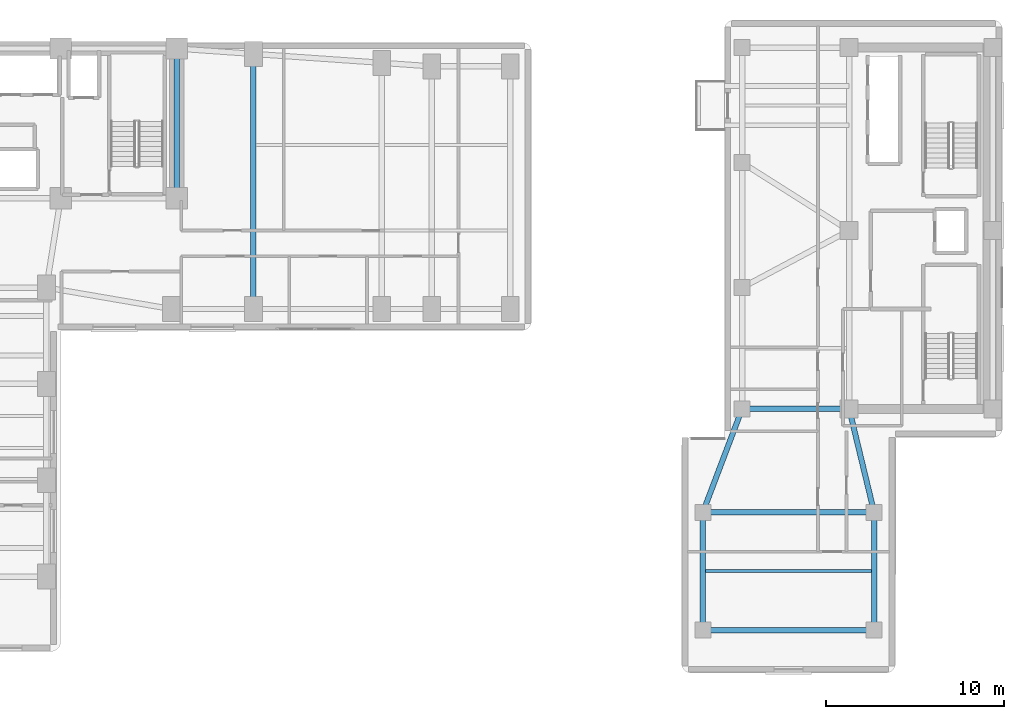
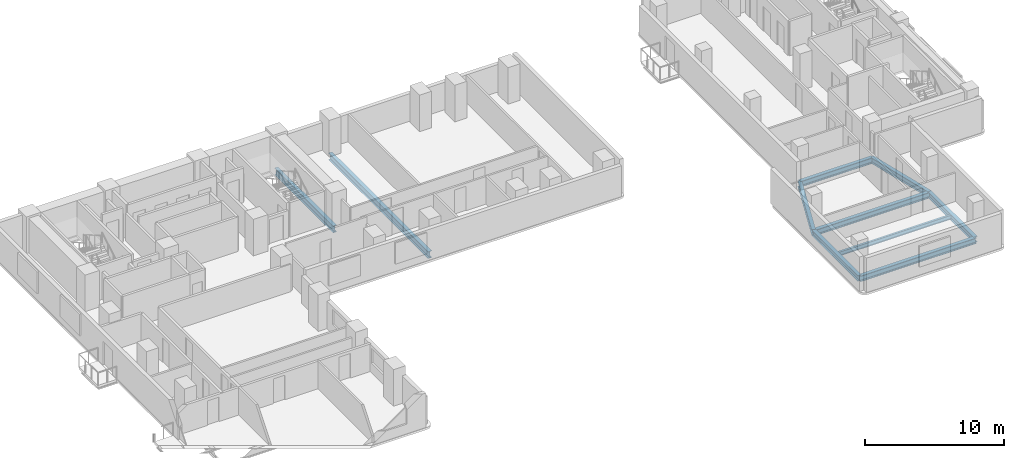
# One storey, part 5 of 15: 10 beams.
"""IFC4 building model written with IfcOpenShell, lengths in metres."""

from ifc_helpers import new_model, si_unit, direction, frame, origin, origin_2d, place, context, subcontext, project, spatial, i_section, extrude, material, material_profile, profile_set, type_object, element, save


model = new_model("IFC4")

# Units and contexts
model_context = context("Model", 3, precision=1e-05, world=origin(), true_north=direction((0.0, 1.0)))
body_context = subcontext(model_context, "Body", "Model", "MODEL_VIEW")
ifc_project = project(units=[si_unit("LENGTHUNIT", "METRE"), si_unit("AREAUNIT", "SQUARE_METRE"), si_unit("VOLUMEUNIT", "CUBIC_METRE"), si_unit("PLANEANGLEUNIT", "RADIAN"), si_unit("MASSUNIT", "GRAM", prefix="KILO")], contexts=[model_context])

# Site, building, storey
site_placement = place(None, origin())
site = spatial("IfcSite", under=ifc_project, at=site_placement, CompositionType="ELEMENT")
building_placement = place(site_placement, origin())
building = spatial("IfcBuilding", under=site, at=building_placement, Name="Kuzgunbayir Cultural Tower", CompositionType="ELEMENT")
storey_placement = place(building_placement, frame((0.0, 0.0, 59.60009765625)))
storey = spatial("IfcBuildingStorey", under=building, at=storey_placement, Name="L16", CompositionType="ELEMENT", Elevation=59.60009765625)

# Beams
ifc_material = material(Name="Steel S355J2", Category="steel")
ifc_material_profile_1 = material_profile(ifc_material, i_section(OverallWidth=0.300048828125, OverallDepth=0.5, WebThickness=0.014404296875, FlangeThickness=0.028076171875, FilletRadius=0.027099609375, at=origin_2d()), Name="HEB 500")
ifc_profile_set_1 = profile_set([ifc_material_profile_1], Name="Steel S355J2")
beam_type_1 = type_object("IfcBeamType", Name="BM-EXT-HEB500", PredefinedType="BEAM", material=ifc_profile_set_1)
beam_1_placement = place(storey_placement, frame((56.39990234375, 9.60009765625, -0.43017578125), z_axis=(0.0, 1.0, 0.0), x_axis=(-1.0, 0.0, 0.0)))
element("IfcBeam", 1, at=beam_1_placement, inside=storey, type_object=beam_type_1, Name="L16 Companion Wing B West Girder", PredefinedType="BEAM", context=body_context, shape_type="SweptSolid", body=[
    extrude(i_section(OverallWidth=0.300048828125, OverallDepth=0.5, WebThickness=0.014404296875, FlangeThickness=0.028076171875, FilletRadius=0.027099609375, at=origin_2d()), origin(), (0.0, 0.0, 1.0), 6.599853515625),
])
beam_2_placement = place(storey_placement, frame((56.39990234375, 16.199951171875, -0.43017578125), z_axis=(0.354679148754, 0.93498807556, 0.0), x_axis=(-0.93498807556, 0.354679148754, 0.0)))
element("IfcBeam", 2, at=beam_2_placement, inside=storey, type_object=beam_type_1, Name="L16 Companion Wing B Floor Girder W", PredefinedType="BEAM", context=body_context, shape_type="SweptSolid", body=[
    extrude(i_section(OverallWidth=0.300048828125, OverallDepth=0.5, WebThickness=0.014404296875, FlangeThickness=0.028076171875, FilletRadius=0.027099609375, at=origin_2d()), origin(), (0.0, 0.0, 1.0), 6.203369140625),
])
beam_3_placement = place(storey_placement, frame((66.0, 9.60009765625, -0.43017578125), z_axis=(0.0, 1.0, 0.0), x_axis=(-1.0, 0.0, 0.0)))
element("IfcBeam", 3, at=beam_3_placement, inside=storey, type_object=beam_type_1, Name="L16 Companion Wing B East Girder", PredefinedType="BEAM", context=body_context, shape_type="SweptSolid", body=[
    extrude(i_section(OverallWidth=0.300048828125, OverallDepth=0.5, WebThickness=0.014404296875, FlangeThickness=0.028076171875, FilletRadius=0.027099609375, at=origin_2d()), origin(), (0.0, 0.0, 1.0), 6.599853515625),
])
beam_4_placement = place(storey_placement, frame((66.0, 16.199951171875, -0.43017578125), z_axis=(-0.234623200431, 0.972086392158, 0.0), x_axis=(-0.972086392158, -0.234623200431, 0.0)))
element("IfcBeam", 4, at=beam_4_placement, inside=storey, type_object=beam_type_1, Name="L16 Companion Wing B Floor Girder E", PredefinedType="BEAM", context=body_context, shape_type="SweptSolid", body=[
    extrude(i_section(OverallWidth=0.300048828125, OverallDepth=0.5, WebThickness=0.014404296875, FlangeThickness=0.028076171875, FilletRadius=0.027099609375, at=origin_2d()), origin(), (0.0, 0.0, 1.0), 5.966552734375),
])
beam_5_placement = place(storey_placement, frame((56.39990234375, 9.60009765625, -0.43017578125), z_axis=(1.0, 0.0, 0.0), x_axis=(0.0, 1.0, 0.0)))
element("IfcBeam", 5, at=beam_5_placement, inside=storey, type_object=beam_type_1, Name="L16 Companion Wing B South Girder", PredefinedType="BEAM", context=body_context, shape_type="SweptSolid", body=[
    extrude(i_section(OverallWidth=0.300048828125, OverallDepth=0.5, WebThickness=0.014404296875, FlangeThickness=0.028076171875, FilletRadius=0.027099609375, at=origin_2d()), origin(), (0.0, 0.0, 1.0), 9.60009765625),
])
ifc_material_profile_2 = material_profile(ifc_material, i_section(OverallWidth=0.300048828125, OverallDepth=0.5, WebThickness=0.014404296875, FlangeThickness=0.028076171875, FilletRadius=0.027099609375, at=origin_2d()), Name="HEB 500")
ifc_profile_set_2 = profile_set([ifc_material_profile_2], Name="Steel S355J2")
beam_type_2 = type_object("IfcBeamType", Name="BM-GIR-HEB500", PredefinedType="BEAM", material=ifc_profile_set_2)
beam_6_placement = place(storey_placement, frame((58.60009765625, 22.0, -0.43017578125), z_axis=(1.0, 0.0, 0.0), x_axis=(0.0, 1.0, 0.0)))
element("IfcBeam", 6, at=beam_6_placement, inside=storey, type_object=beam_type_2, Name="L16 Companion Transverse Girder 1", PredefinedType="BEAM", context=body_context, shape_type="SweptSolid", body=[
    extrude(i_section(OverallWidth=0.300048828125, OverallDepth=0.5, WebThickness=0.014404296875, FlangeThickness=0.028076171875, FilletRadius=0.027099609375, at=origin_2d()), origin(), (0.0, 0.0, 1.0), 6.0),
])
beam_7_placement = place(storey_placement, frame((56.39990234375, 16.199951171875, -0.43017578125), z_axis=(1.0, 0.0, 0.0), x_axis=(0.0, 1.0, 0.0)))
element("IfcBeam", 7, at=beam_7_placement, inside=storey, type_object=beam_type_2, Name="L16 Companion Wing B Mid Girder", PredefinedType="BEAM", context=body_context, shape_type="SweptSolid", body=[
    extrude(i_section(OverallWidth=0.300048828125, OverallDepth=0.5, WebThickness=0.014404296875, FlangeThickness=0.028076171875, FilletRadius=0.027099609375, at=origin_2d()), origin(), (0.0, 0.0, 1.0), 9.60009765625),
])
ifc_material_profile_3 = material_profile(ifc_material, i_section(OverallWidth=0.300048828125, OverallDepth=0.60009765625, WebThickness=0.015380859375, FlangeThickness=0.030029296875, FilletRadius=0.027099609375, at=origin_2d()), Name="HEB 600")
ifc_profile_set_3 = profile_set([ifc_material_profile_3], Name="Steel S355J2")
beam_type_3 = type_object("IfcBeamType", Name="BM-GIR-HEB600", PredefinedType="BEAM", material=ifc_profile_set_3)
beam_8_placement = place(storey_placement, frame((26.89990234375, 33.800048828125, -0.47998046875), z_axis=(0.0, 1.0, 0.0), x_axis=(-1.0, 0.0, 0.0)))
element("IfcBeam", 8, at=beam_8_placement, inside=storey, type_object=beam_type_3, Name="L16 Core East Edge Girder", PredefinedType="BEAM", context=body_context, shape_type="SweptSolid", body=[
    extrude(i_section(OverallWidth=0.300048828125, OverallDepth=0.60009765625, WebThickness=0.015380859375, FlangeThickness=0.030029296875, FilletRadius=0.027099609375, at=origin_2d()), origin(), (0.0, 0.0, 1.0), 8.39990234375),
])
beam_9_placement = place(storey_placement, frame((31.199951171875, 27.60009765625, -0.47998046875), z_axis=(0.0, 1.0, 0.0), x_axis=(-1.0, 0.0, 0.0)))
element("IfcBeam", 9, at=beam_9_placement, inside=storey, type_object=beam_type_3, Name="L16 Wing B Cross Girder 31", PredefinedType="BEAM", context=body_context, shape_type="SweptSolid", body=[
    extrude(i_section(OverallWidth=0.300048828125, OverallDepth=0.60009765625, WebThickness=0.015380859375, FlangeThickness=0.030029296875, FilletRadius=0.027099609375, at=origin_2d()), origin(), (0.0, 0.0, 1.0), 14.2998046875),
])
ifc_material_profile_4 = material_profile(ifc_material, i_section(OverallWidth=0.169921875, OverallDepth=0.360107421875, WebThickness=0.008056640625, FlangeThickness=0.0126953125, FilletRadius=0.01806640625, at=origin_2d()), Name="IPE 360")
ifc_profile_set_4 = profile_set([ifc_material_profile_4], Name="Steel S355J2")
beam_type_4 = type_object("IfcBeamType", Name="BM-JST-IPE360", PredefinedType="JOIST", material=ifc_profile_set_4)
beam_10_placement = place(storey_placement, frame((56.550048828125, 12.89990234375, -0.360107421875), z_axis=(1.0, 0.0, 0.0), x_axis=(0.0, 1.0, 0.0)))
element("IfcBeam", 10, at=beam_10_placement, inside=storey, type_object=beam_type_4, Name="L16 Companion Wing B Joist", PredefinedType="JOIST", context=body_context, shape_type="SweptSolid", body=[
    extrude(i_section(OverallWidth=0.169921875, OverallDepth=0.360107421875, WebThickness=0.008056640625, FlangeThickness=0.0126953125, FilletRadius=0.01806640625, at=origin_2d()), origin(), (0.0, 0.0, 1.0), 9.300048828125),
])

save(model, "model.ifc")
